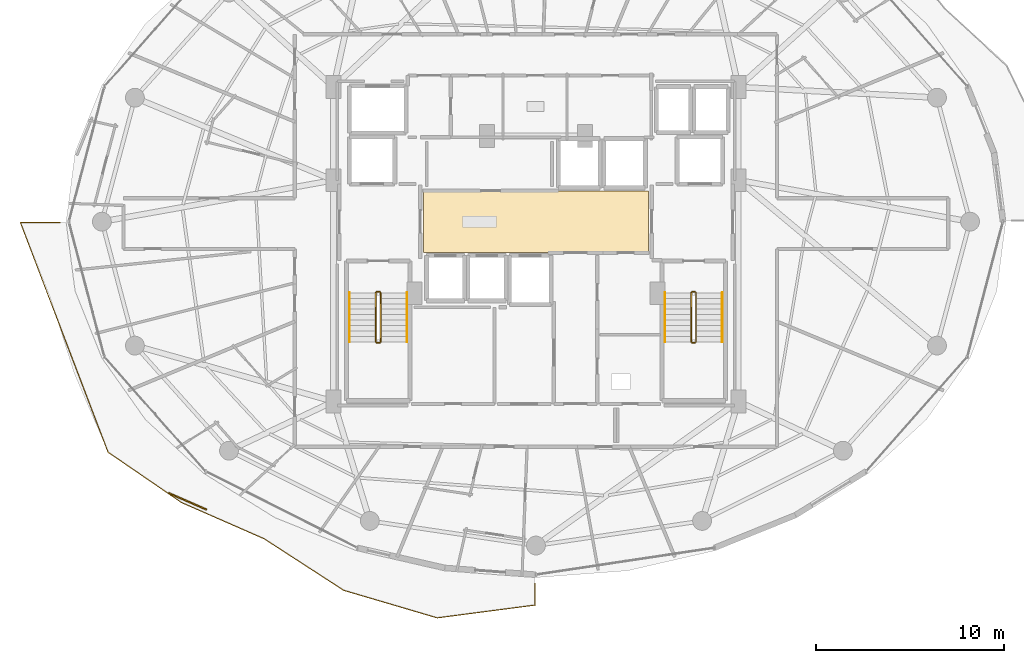
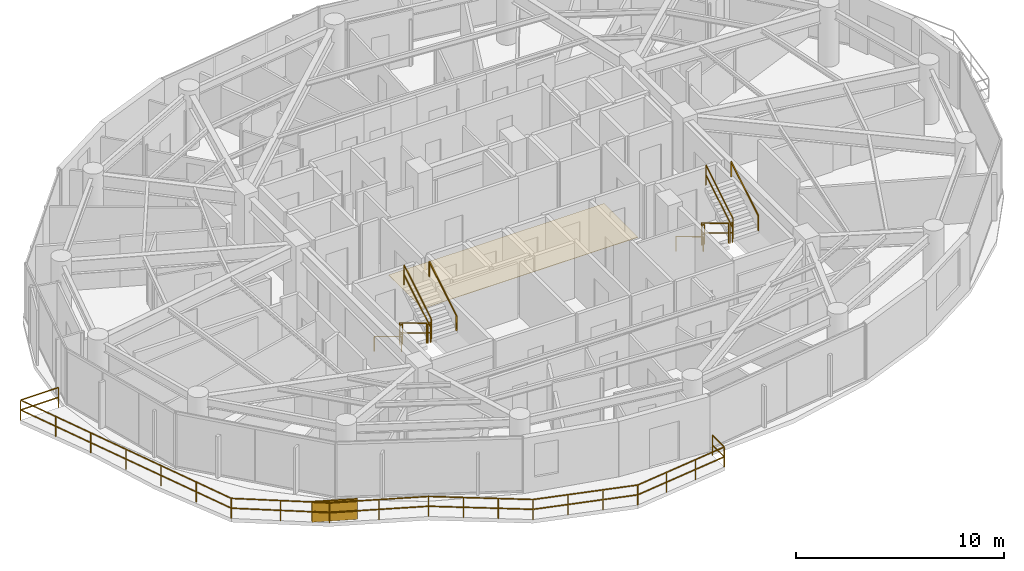
# One storey, part 26 of 28: 14 railings, 1 covering, 1 shading device.
"""IFC4 building model written with IfcOpenShell, lengths in metres."""

from ifc_helpers import new_model, si_unit, direction, frame, origin, origin_2d, place, context, subcontext, project, spatial, polyline, rectangle, outline, extrude, material, layer, layer_set, type_object, element, save


model = new_model("IFC4")

# Units and contexts
model_context = context("Model", 3, precision=1e-05, world=origin(), true_north=direction((0.0, 1.0)))
body_context = subcontext(model_context, "Body", "Model", "MODEL_VIEW")
ifc_project = project(units=[si_unit("LENGTHUNIT", "METRE"), si_unit("AREAUNIT", "SQUARE_METRE"), si_unit("VOLUMEUNIT", "CUBIC_METRE"), si_unit("PLANEANGLEUNIT", "RADIAN"), si_unit("MASSUNIT", "GRAM", prefix="KILO")], contexts=[model_context])

# Site, building, storey
site_placement = place(None, origin())
site = spatial("IfcSite", under=ifc_project, at=site_placement, CompositionType="ELEMENT")
building_placement = place(site_placement, origin())
building = spatial("IfcBuilding", under=site, at=building_placement, Name="Vorneva Point Tower", CompositionType="ELEMENT")
storey_placement = place(building_placement, frame((0.0, 0.0, 139.60009765625)))
storey = spatial("IfcBuildingStorey", under=building, at=storey_placement, Name="L37", CompositionType="ELEMENT", Elevation=139.60009765625)

# Covering
ifc_material_1 = material(Name="Acoustic wool hospitality carpet", Category="textile")
ifc_layer = layer(ifc_material_1, 0.01806640625)
ifc_layer_set = layer_set([ifc_layer], Name="Acoustic wool hospitality carpet")
covering_type = type_object("IfcCoveringType", Name="COV-FLR-CRP", PredefinedType="FLOORING", material=ifc_layer_set)
covering_placement = place(storey_placement, frame((0.0, 0.0, -0.005126953125)))
element("IfcCovering", 1, at=covering_placement, inside=storey, type_object=covering_type, Name="L37 Lift Lobby Floor Finish", PredefinedType="FLOORING", context=body_context, shape_type="SweptSolid", body=[
    extrude(outline(polyline([(32.02001953125, 24.3701171875), (43.97998046875, 24.3701171875), (43.97998046875, 27.6298828125), (32.02001953125, 27.6298828125), (32.02001953125, 24.3701171875)])), origin(), (0.0, 0.0, 1.0), 0.02294921875),
])

# Railings
ifc_material_2 = material(Name="Pale anodised aluminium", Category="aluminium")
railing_type_1 = type_object("IfcRailingType", Name="RL-BAL-1200", PredefinedType="BALUSTRADE", material=ifc_material_2)
railing_1_placement = place(storey_placement, frame((37.949951171875, 5.638427734375, 0.0)))
element("IfcRailing", 2, at=railing_1_placement, inside=storey, type_object=railing_type_1, Name="L37 Wave Balcony Balustrade SW.1", PredefinedType="BALUSTRADE", context=body_context, shape_type="SweptSolid", body=[
    extrude(rectangle(XDim=0.048095703125, YDim=0.048095703125, at=origin_2d()), frame((0.0, 0.0, 1.17578125), z_axis=(0.0, 1.0, 0.0), x_axis=(-1.0, 0.0, 0.0)), (0.0, 0.0, 1.0), 1.144287109375),
    extrude(rectangle(XDim=0.048095703125, YDim=0.048095703125, at=origin_2d()), frame((0.0, 0.0, 0.60009765625), z_axis=(0.0, 1.0, 0.0), x_axis=(-1.0, 0.0, 0.0)), (0.0, 0.0, 1.0), 1.144287109375),
    extrude(rectangle(XDim=0.0419921875, YDim=0.0419921875, at=origin_2d()), origin(), (0.0, 0.0, 1.0), 1.15185546875),
    extrude(rectangle(XDim=0.0419921875, YDim=0.0419921875, at=origin_2d()), frame((0.0, 1.144287109375, 0.0)), (0.0, 0.0, 1.0), 1.15185546875),
])
railing_2_placement = place(storey_placement, frame((12.73388671875, 25.949951171875, 0.0)))
element("IfcRailing", 3, at=railing_2_placement, inside=storey, type_object=railing_type_1, Name="L37 Wave Balcony Balustrade SW.2", PredefinedType="BALUSTRADE", context=body_context, shape_type="SweptSolid", body=[
    extrude(rectangle(XDim=0.048095703125, YDim=0.048095703125, at=origin_2d()), frame((0.0, 0.0, 1.17578125), z_axis=(-1.0, 0.0, 0.0), x_axis=(0.0, -1.0, 0.0)), (0.0, 0.0, 1.0), 2.109130859375),
    extrude(rectangle(XDim=0.048095703125, YDim=0.048095703125, at=origin_2d()), frame((0.0, 0.0, 0.60009765625), z_axis=(-1.0, 0.0, 0.0), x_axis=(0.0, -1.0, 0.0)), (0.0, 0.0, 1.0), 2.109130859375),
    extrude(rectangle(XDim=0.048095703125, YDim=0.048095703125, at=origin_2d()), frame((-2.109130859375, 0.0, 1.17578125), z_axis=(0.356488435128, -0.934299735428, 0.0), x_axis=(0.934299735428, 0.356488435128, 0.0)), (0.0, 0.0, 1.0), 13.0517578125),
    extrude(rectangle(XDim=0.048095703125, YDim=0.048095703125, at=origin_2d()), frame((-2.109130859375, 0.0, 0.60009765625), z_axis=(0.356488435128, -0.934299735428, 0.0), x_axis=(0.934299735428, 0.356488435128, 0.0)), (0.0, 0.0, 1.0), 13.0517578125),
    extrude(rectangle(XDim=0.048095703125, YDim=0.048095703125, at=origin_2d()), frame((2.543701171875, -12.1943359375, 1.17578125), z_axis=(0.82490073381, -0.565277612647, 0.0), x_axis=(0.565277612647, 0.82490073381, 0.0)), (0.0, 0.0, 1.0), 4.73095703125),
    extrude(rectangle(XDim=0.048095703125, YDim=0.048095703125, at=origin_2d()), frame((2.543701171875, -12.1943359375, 0.60009765625), z_axis=(0.82490073381, -0.565277612647, 0.0), x_axis=(0.565277612647, 0.82490073381, 0.0)), (0.0, 0.0, 1.0), 4.73095703125),
    extrude(rectangle(XDim=0.048095703125, YDim=0.048095703125, at=origin_2d()), frame((6.4462890625, -14.86865234375, 1.17578125), z_axis=(0.915871720888, -0.401471033672, 0.0), x_axis=(0.401471033672, 0.915871720888, 0.0)), (0.0, 0.0, 1.0), 4.790771484375),
    extrude(rectangle(XDim=0.048095703125, YDim=0.048095703125, at=origin_2d()), frame((6.4462890625, -14.86865234375, 0.60009765625), z_axis=(0.915871720888, -0.401471033672, 0.0), x_axis=(0.401471033672, 0.915871720888, 0.0)), (0.0, 0.0, 1.0), 4.790771484375),
    extrude(rectangle(XDim=0.048095703125, YDim=0.048095703125, at=origin_2d()), frame((10.833984375, -16.7919921875, 1.17578125), z_axis=(0.83915052471, -0.543899252508, 0.0), x_axis=(0.543899252508, 0.83915052471, 0.0)), (0.0, 0.0, 1.0), 5.029052734375),
    extrude(rectangle(XDim=0.048095703125, YDim=0.048095703125, at=origin_2d()), frame((10.833984375, -16.7919921875, 0.60009765625), z_axis=(0.83915052471, -0.543899252508, 0.0), x_axis=(0.543899252508, 0.83915052471, 0.0)), (0.0, 0.0, 1.0), 5.029052734375),
    extrude(rectangle(XDim=0.048095703125, YDim=0.048095703125, at=origin_2d()), frame((15.05419921875, -19.52734375, 1.17578125), z_axis=(0.959248296975, -0.282564514317, 0.0), x_axis=(0.282564514317, 0.959248296975, 0.0)), (0.0, 0.0, 1.0), 5.177978515625),
    extrude(rectangle(XDim=0.048095703125, YDim=0.048095703125, at=origin_2d()), frame((15.05419921875, -19.52734375, 0.60009765625), z_axis=(0.959248296975, -0.282564514317, 0.0), x_axis=(0.282564514317, 0.959248296975, 0.0)), (0.0, 0.0, 1.0), 5.177978515625),
    extrude(rectangle(XDim=0.048095703125, YDim=0.048095703125, at=origin_2d()), frame((20.021240234375, -20.990478515625, 1.17578125), z_axis=(0.991566856658, 0.129596175786, 0.0), x_axis=(-0.129596175786, 0.991566856658, 0.0)), (0.0, 0.0, 1.0), 5.239013671875),
    extrude(rectangle(XDim=0.048095703125, YDim=0.048095703125, at=origin_2d()), frame((20.021240234375, -20.990478515625, 0.60009765625), z_axis=(0.991566856658, 0.129596175786, 0.0), x_axis=(-0.129596175786, 0.991566856658, 0.0)), (0.0, 0.0, 1.0), 5.239013671875),
    extrude(rectangle(XDim=0.0419921875, YDim=0.0419921875, at=origin_2d()), origin(), (0.0, 0.0, 1.0), 1.15185546875),
    extrude(rectangle(XDim=0.0419921875, YDim=0.0419921875, at=origin_2d()), frame((-2.109130859375, 0.0, 0.0)), (0.0, 0.0, 1.0), 1.15185546875),
    extrude(rectangle(XDim=0.0419921875, YDim=0.0419921875, at=origin_2d()), frame((-1.333740234375, -2.032470703125, 0.0)), (0.0, 0.0, 1.0), 1.15185546875),
    extrude(rectangle(XDim=0.0419921875, YDim=0.0419921875, at=origin_2d()), frame((-0.55810546875, -4.064697265625, 0.0)), (0.0, 0.0, 1.0), 1.15185546875),
    extrude(rectangle(XDim=0.0419921875, YDim=0.0419921875, at=origin_2d()), frame((0.21728515625, -6.09716796875, 0.0)), (0.0, 0.0, 1.0), 1.15185546875),
    extrude(rectangle(XDim=0.0419921875, YDim=0.0419921875, at=origin_2d()), frame((0.99267578125, -8.129638671875, 0.0)), (0.0, 0.0, 1.0), 1.15185546875),
    extrude(rectangle(XDim=0.0419921875, YDim=0.0419921875, at=origin_2d()), frame((1.768310546875, -10.161865234375, 0.0)), (0.0, 0.0, 1.0), 1.15185546875),
    extrude(rectangle(XDim=0.0419921875, YDim=0.0419921875, at=origin_2d()), frame((2.543701171875, -12.1943359375, 0.0)), (0.0, 0.0, 1.0), 1.15185546875),
    extrude(rectangle(XDim=0.0419921875, YDim=0.0419921875, at=origin_2d()), frame((4.4951171875, -13.531494140625, 0.0)), (0.0, 0.0, 1.0), 1.15185546875),
    extrude(rectangle(XDim=0.0419921875, YDim=0.0419921875, at=origin_2d()), frame((6.4462890625, -14.86865234375, 0.0)), (0.0, 0.0, 1.0), 1.15185546875),
    extrude(rectangle(XDim=0.0419921875, YDim=0.0419921875, at=origin_2d()), frame((8.64013671875, -15.830322265625, 0.0)), (0.0, 0.0, 1.0), 1.15185546875),
    extrude(rectangle(XDim=0.0419921875, YDim=0.0419921875, at=origin_2d()), frame((10.833984375, -16.7919921875, 0.0)), (0.0, 0.0, 1.0), 1.15185546875),
    extrude(rectangle(XDim=0.0419921875, YDim=0.0419921875, at=origin_2d()), frame((12.24072265625, -17.703857421875, 0.0)), (0.0, 0.0, 1.0), 1.15185546875),
    extrude(rectangle(XDim=0.0419921875, YDim=0.0419921875, at=origin_2d()), frame((13.6474609375, -18.615478515625, 0.0)), (0.0, 0.0, 1.0), 1.15185546875),
    extrude(rectangle(XDim=0.0419921875, YDim=0.0419921875, at=origin_2d()), frame((15.05419921875, -19.52734375, 0.0)), (0.0, 0.0, 1.0), 1.15185546875),
    extrude(rectangle(XDim=0.0419921875, YDim=0.0419921875, at=origin_2d()), frame((16.7099609375, -20.01513671875, 0.0)), (0.0, 0.0, 1.0), 1.15185546875),
    extrude(rectangle(XDim=0.0419921875, YDim=0.0419921875, at=origin_2d()), frame((18.365478515625, -20.502685546875, 0.0)), (0.0, 0.0, 1.0), 1.15185546875),
    extrude(rectangle(XDim=0.0419921875, YDim=0.0419921875, at=origin_2d()), frame((20.021240234375, -20.990478515625, 0.0)), (0.0, 0.0, 1.0), 1.15185546875),
    extrude(rectangle(XDim=0.0419921875, YDim=0.0419921875, at=origin_2d()), frame((21.7529296875, -20.76416015625, 0.0)), (0.0, 0.0, 1.0), 1.15185546875),
    extrude(rectangle(XDim=0.0419921875, YDim=0.0419921875, at=origin_2d()), frame((23.484375, -20.537841796875, 0.0)), (0.0, 0.0, 1.0), 1.15185546875),
    extrude(rectangle(XDim=0.0419921875, YDim=0.0419921875, at=origin_2d()), frame((25.216064453125, -20.3115234375, 0.0)), (0.0, 0.0, 1.0), 1.15185546875),
])
ifc_material_3 = material(Name="Brushed stainless steel S304", Category="steel")
railing_type_2 = type_object("IfcRailingType", Name="RL-HND-920", PredefinedType="HANDRAIL", material=ifc_material_3)
railing_3_placement = place(storey_placement, frame((28.10009765625, 22.219970703125, 0.1748046875)))
element("IfcRailing", 4, at=railing_3_placement, inside=storey, type_object=railing_type_2, Name="L37 ST1 stair handrail 1", PredefinedType="HANDRAIL", context=body_context, shape_type="SweptSolid", body=[
    extrude(rectangle(XDim=0.048095703125, YDim=0.048095703125, at=origin_2d()), frame((0.0, 0.0, 0.8759765625), z_axis=(0.0, -0.856147343639, 0.516731773728), x_axis=(1.0, 0.0, 0.0)), (0.0, 0.0, 1.0), 3.04833984375),
    extrude(rectangle(XDim=0.0419921875, YDim=0.0419921875, at=origin_2d()), origin(), (0.0, 0.0, 1.0), 0.851806640625),
    extrude(rectangle(XDim=0.0419921875, YDim=0.0419921875, at=origin_2d()), frame((0.0, -2.60986328125, 1.5751953125)), (0.0, 0.0, 1.0), 0.851806640625),
])
railing_4_placement = place(storey_placement, frame((31.14990234375, 19.610107421875, 1.9248046875)))
element("IfcRailing", 5, at=railing_4_placement, inside=storey, type_object=railing_type_2, Name="L37 ST1 stair handrail 2", PredefinedType="HANDRAIL", context=body_context, shape_type="SweptSolid", body=[
    extrude(rectangle(XDim=0.048095703125, YDim=0.048095703125, at=origin_2d()), frame((0.0, 0.0, 0.8759765625), z_axis=(0.0, 0.856147343639, 0.516731773728), x_axis=(-1.0, 0.0, 0.0)), (0.0, 0.0, 1.0), 3.04833984375),
    extrude(rectangle(XDim=0.0419921875, YDim=0.0419921875, at=origin_2d()), origin(), (0.0, 0.0, 1.0), 0.851806640625),
    extrude(rectangle(XDim=0.0419921875, YDim=0.0419921875, at=origin_2d()), frame((0.0, 2.60986328125, 1.5751953125)), (0.0, 0.0, 1.0), 0.851806640625),
])
railing_5_placement = place(storey_placement, frame((44.85009765625, 22.219970703125, 0.1748046875)))
element("IfcRailing", 6, at=railing_5_placement, inside=storey, type_object=railing_type_2, Name="L37 ST2 stair handrail 1", PredefinedType="HANDRAIL", context=body_context, shape_type="SweptSolid", body=[
    extrude(rectangle(XDim=0.048095703125, YDim=0.048095703125, at=origin_2d()), frame((0.0, 0.0, 0.8759765625), z_axis=(0.0, -0.856147343639, 0.516731773728), x_axis=(1.0, 0.0, 0.0)), (0.0, 0.0, 1.0), 3.04833984375),
    extrude(rectangle(XDim=0.0419921875, YDim=0.0419921875, at=origin_2d()), origin(), (0.0, 0.0, 1.0), 0.851806640625),
    extrude(rectangle(XDim=0.0419921875, YDim=0.0419921875, at=origin_2d()), frame((0.0, -2.60986328125, 1.5751953125)), (0.0, 0.0, 1.0), 0.851806640625),
])
railing_6_placement = place(storey_placement, frame((47.89990234375, 19.610107421875, 1.9248046875)))
element("IfcRailing", 7, at=railing_6_placement, inside=storey, type_object=railing_type_2, Name="L37 ST2 stair handrail 2", PredefinedType="HANDRAIL", context=body_context, shape_type="SweptSolid", body=[
    extrude(rectangle(XDim=0.048095703125, YDim=0.048095703125, at=origin_2d()), frame((0.0, 0.0, 0.8759765625), z_axis=(0.0, 0.856147343639, 0.516731773728), x_axis=(-1.0, 0.0, 0.0)), (0.0, 0.0, 1.0), 3.04833984375),
    extrude(rectangle(XDim=0.0419921875, YDim=0.0419921875, at=origin_2d()), origin(), (0.0, 0.0, 1.0), 0.851806640625),
    extrude(rectangle(XDim=0.0419921875, YDim=0.0419921875, at=origin_2d()), frame((0.0, 2.60986328125, 1.5751953125)), (0.0, 0.0, 1.0), 0.851806640625),
])
railing_type_3 = type_object("IfcRailingType", Name="RL-STG-1100", PredefinedType="GUARDRAIL", material=ifc_material_3)
railing_7_placement = place(storey_placement, frame((29.5, 22.219970703125, 0.1748046875)))
element("IfcRailing", 8, at=railing_7_placement, inside=storey, type_object=railing_type_3, Name="L37 ST1 stair guard 1", PredefinedType="GUARDRAIL", context=body_context, shape_type="SweptSolid", body=[
    extrude(rectangle(XDim=0.048095703125, YDim=0.048095703125, at=origin_2d()), frame((0.0, 0.0, 1.17578125), z_axis=(0.0, -0.856147343639, 0.516731773728), x_axis=(1.0, 0.0, 0.0)), (0.0, 0.0, 1.0), 3.04833984375),
    extrude(rectangle(XDim=0.048095703125, YDim=0.048095703125, at=origin_2d()), frame((0.0, 0.0, 0.60009765625), z_axis=(0.0, -0.856147343639, 0.516731773728), x_axis=(1.0, 0.0, 0.0)), (0.0, 0.0, 1.0), 3.04833984375),
    extrude(rectangle(XDim=0.0419921875, YDim=0.0419921875, at=origin_2d()), origin(), (0.0, 0.0, 1.0), 1.15185546875),
    extrude(rectangle(XDim=0.0419921875, YDim=0.0419921875, at=origin_2d()), frame((0.0, -2.60986328125, 1.5751953125)), (0.0, 0.0, 1.0), 1.15185546875),
])
railing_8_placement = place(storey_placement, frame((29.550048828125, 19.56005859375, 1.75)))
element("IfcRailing", 9, at=railing_8_placement, inside=storey, type_object=railing_type_3, Name="L37 ST1 stair guard 2", PredefinedType="GUARDRAIL", context=body_context, shape_type="SweptSolid", body=[
    extrude(rectangle(XDim=0.048095703125, YDim=0.048095703125, at=origin_2d()), frame((0.0, 0.0, 1.17578125), z_axis=(1.0, 0.0, 0.0), x_axis=(0.0, 1.0, 0.0)), (0.0, 0.0, 1.0), 0.14990234375),
    extrude(rectangle(XDim=0.048095703125, YDim=0.048095703125, at=origin_2d()), frame((0.0, 0.0, 0.60009765625), z_axis=(1.0, 0.0, 0.0), x_axis=(0.0, 1.0, 0.0)), (0.0, 0.0, 1.0), 0.14990234375),
    extrude(rectangle(XDim=0.0419921875, YDim=0.0419921875, at=origin_2d()), origin(), (0.0, 0.0, 1.0), 1.15185546875),
    extrude(rectangle(XDim=0.0419921875, YDim=0.0419921875, at=origin_2d()), frame((0.14990234375, 0.0, 0.0)), (0.0, 0.0, 1.0), 1.15185546875),
])
railing_9_placement = place(storey_placement, frame((29.75, 19.610107421875, 1.9248046875)))
element("IfcRailing", 10, at=railing_9_placement, inside=storey, type_object=railing_type_3, Name="L37 ST1 stair guard 3", PredefinedType="GUARDRAIL", context=body_context, shape_type="SweptSolid", body=[
    extrude(rectangle(XDim=0.048095703125, YDim=0.048095703125, at=origin_2d()), frame((0.0, 0.0, 1.17578125), z_axis=(0.0, 0.856147343639, 0.516731773728), x_axis=(-1.0, 0.0, 0.0)), (0.0, 0.0, 1.0), 3.04833984375),
    extrude(rectangle(XDim=0.048095703125, YDim=0.048095703125, at=origin_2d()), frame((0.0, 0.0, 0.60009765625), z_axis=(0.0, 0.856147343639, 0.516731773728), x_axis=(-1.0, 0.0, 0.0)), (0.0, 0.0, 1.0), 3.04833984375),
    extrude(rectangle(XDim=0.0419921875, YDim=0.0419921875, at=origin_2d()), origin(), (0.0, 0.0, 1.0), 1.15185546875),
    extrude(rectangle(XDim=0.0419921875, YDim=0.0419921875, at=origin_2d()), frame((0.0, 2.60986328125, 1.5751953125)), (0.0, 0.0, 1.0), 1.15185546875),
])
railing_10_placement = place(storey_placement, frame((29.550048828125, 22.27001953125, 0.0)))
element("IfcRailing", 11, at=railing_10_placement, inside=storey, type_object=railing_type_3, Name="L37 ST1 stair guard 4", PredefinedType="GUARDRAIL", context=body_context, shape_type="SweptSolid", body=[
    extrude(rectangle(XDim=0.048095703125, YDim=0.048095703125, at=origin_2d()), frame((0.0, 0.0, 1.17578125), z_axis=(1.0, 0.0, 0.0), x_axis=(0.0, 1.0, 0.0)), (0.0, 0.0, 1.0), 0.14990234375),
    extrude(rectangle(XDim=0.048095703125, YDim=0.048095703125, at=origin_2d()), frame((0.0, 0.0, 0.60009765625), z_axis=(1.0, 0.0, 0.0), x_axis=(0.0, 1.0, 0.0)), (0.0, 0.0, 1.0), 0.14990234375),
    extrude(rectangle(XDim=0.0419921875, YDim=0.0419921875, at=origin_2d()), origin(), (0.0, 0.0, 1.0), 1.15185546875),
    extrude(rectangle(XDim=0.0419921875, YDim=0.0419921875, at=origin_2d()), frame((0.14990234375, 0.0, 0.0)), (0.0, 0.0, 1.0), 1.15185546875),
])
railing_11_placement = place(storey_placement, frame((46.25, 22.219970703125, 0.1748046875)))
element("IfcRailing", 12, at=railing_11_placement, inside=storey, type_object=railing_type_3, Name="L37 ST2 stair guard 1", PredefinedType="GUARDRAIL", context=body_context, shape_type="SweptSolid", body=[
    extrude(rectangle(XDim=0.048095703125, YDim=0.048095703125, at=origin_2d()), frame((0.0, 0.0, 1.17578125), z_axis=(0.0, -0.856147343639, 0.516731773728), x_axis=(1.0, 0.0, 0.0)), (0.0, 0.0, 1.0), 3.04833984375),
    extrude(rectangle(XDim=0.048095703125, YDim=0.048095703125, at=origin_2d()), frame((0.0, 0.0, 0.60009765625), z_axis=(0.0, -0.856147343639, 0.516731773728), x_axis=(1.0, 0.0, 0.0)), (0.0, 0.0, 1.0), 3.04833984375),
    extrude(rectangle(XDim=0.0419921875, YDim=0.0419921875, at=origin_2d()), origin(), (0.0, 0.0, 1.0), 1.15185546875),
    extrude(rectangle(XDim=0.0419921875, YDim=0.0419921875, at=origin_2d()), frame((0.0, -2.60986328125, 1.5751953125)), (0.0, 0.0, 1.0), 1.15185546875),
])
railing_12_placement = place(storey_placement, frame((46.300048828125, 19.56005859375, 1.75)))
element("IfcRailing", 13, at=railing_12_placement, inside=storey, type_object=railing_type_3, Name="L37 ST2 stair guard 2", PredefinedType="GUARDRAIL", context=body_context, shape_type="SweptSolid", body=[
    extrude(rectangle(XDim=0.048095703125, YDim=0.048095703125, at=origin_2d()), frame((0.0, 0.0, 1.17578125), z_axis=(1.0, 0.0, 0.0), x_axis=(0.0, 1.0, 0.0)), (0.0, 0.0, 1.0), 0.14990234375),
    extrude(rectangle(XDim=0.048095703125, YDim=0.048095703125, at=origin_2d()), frame((0.0, 0.0, 0.60009765625), z_axis=(1.0, 0.0, 0.0), x_axis=(0.0, 1.0, 0.0)), (0.0, 0.0, 1.0), 0.14990234375),
    extrude(rectangle(XDim=0.0419921875, YDim=0.0419921875, at=origin_2d()), origin(), (0.0, 0.0, 1.0), 1.15185546875),
    extrude(rectangle(XDim=0.0419921875, YDim=0.0419921875, at=origin_2d()), frame((0.14990234375, 0.0, 0.0)), (0.0, 0.0, 1.0), 1.15185546875),
])
railing_13_placement = place(storey_placement, frame((46.5, 19.610107421875, 1.9248046875)))
element("IfcRailing", 14, at=railing_13_placement, inside=storey, type_object=railing_type_3, Name="L37 ST2 stair guard 3", PredefinedType="GUARDRAIL", context=body_context, shape_type="SweptSolid", body=[
    extrude(rectangle(XDim=0.048095703125, YDim=0.048095703125, at=origin_2d()), frame((0.0, 0.0, 1.17578125), z_axis=(0.0, 0.856147343639, 0.516731773728), x_axis=(-1.0, 0.0, 0.0)), (0.0, 0.0, 1.0), 3.04833984375),
    extrude(rectangle(XDim=0.048095703125, YDim=0.048095703125, at=origin_2d()), frame((0.0, 0.0, 0.60009765625), z_axis=(0.0, 0.856147343639, 0.516731773728), x_axis=(-1.0, 0.0, 0.0)), (0.0, 0.0, 1.0), 3.04833984375),
    extrude(rectangle(XDim=0.0419921875, YDim=0.0419921875, at=origin_2d()), origin(), (0.0, 0.0, 1.0), 1.15185546875),
    extrude(rectangle(XDim=0.0419921875, YDim=0.0419921875, at=origin_2d()), frame((0.0, 2.60986328125, 1.5751953125)), (0.0, 0.0, 1.0), 1.15185546875),
])
railing_14_placement = place(storey_placement, frame((46.300048828125, 22.27001953125, 0.0)))
element("IfcRailing", 15, at=railing_14_placement, inside=storey, type_object=railing_type_3, Name="L37 ST2 stair guard 4", PredefinedType="GUARDRAIL", context=body_context, shape_type="SweptSolid", body=[
    extrude(rectangle(XDim=0.048095703125, YDim=0.048095703125, at=origin_2d()), frame((0.0, 0.0, 1.17578125), z_axis=(1.0, 0.0, 0.0), x_axis=(0.0, 1.0, 0.0)), (0.0, 0.0, 1.0), 0.14990234375),
    extrude(rectangle(XDim=0.048095703125, YDim=0.048095703125, at=origin_2d()), frame((0.0, 0.0, 0.60009765625), z_axis=(1.0, 0.0, 0.0), x_axis=(0.0, 1.0, 0.0)), (0.0, 0.0, 1.0), 0.14990234375),
    extrude(rectangle(XDim=0.0419921875, YDim=0.0419921875, at=origin_2d()), origin(), (0.0, 0.0, 1.0), 1.15185546875),
    extrude(rectangle(XDim=0.0419921875, YDim=0.0419921875, at=origin_2d()), frame((0.14990234375, 0.0, 0.0)), (0.0, 0.0, 1.0), 1.15185546875),
])

# Shading device
shading_device_type = type_object("IfcShadingDeviceType", Name="SHD-JAL-1200", PredefinedType="JALOUSIE", material=ifc_material_2)
shading_device_placement = place(storey_placement, frame((19.504638671875, 11.152099609375, -0.02001953125), z_axis=(0.0, 0.0, 1.0), x_axis=(0.915865920094, -0.401484266704, 0.0)))
element("IfcShadingDevice", 16, at=shading_device_placement, inside=storey, type_object=shading_device_type, Name="L37 Balcony Vertical-Greenery Planter Screen SW.2", PredefinedType="JALOUSIE", context=body_context, shape_type="SweptSolid", body=[
    extrude(rectangle(XDim=2.199951171875, YDim=0.080078125, at=origin_2d()), origin(), (0.0, 0.0, 1.0), 1.199951171875),
])

save(model, "model.ifc")
